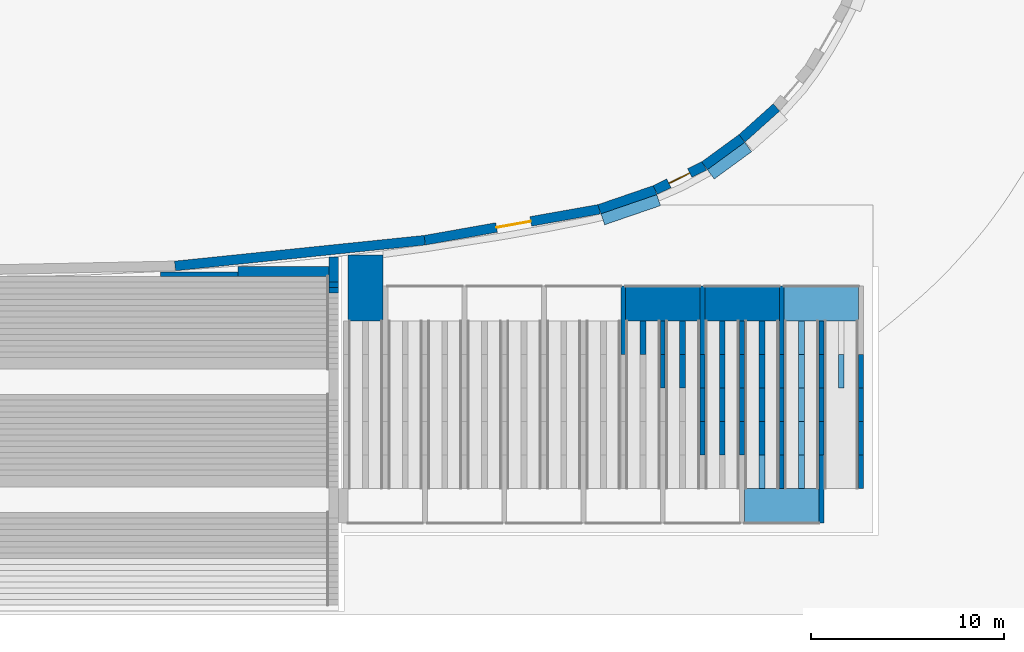
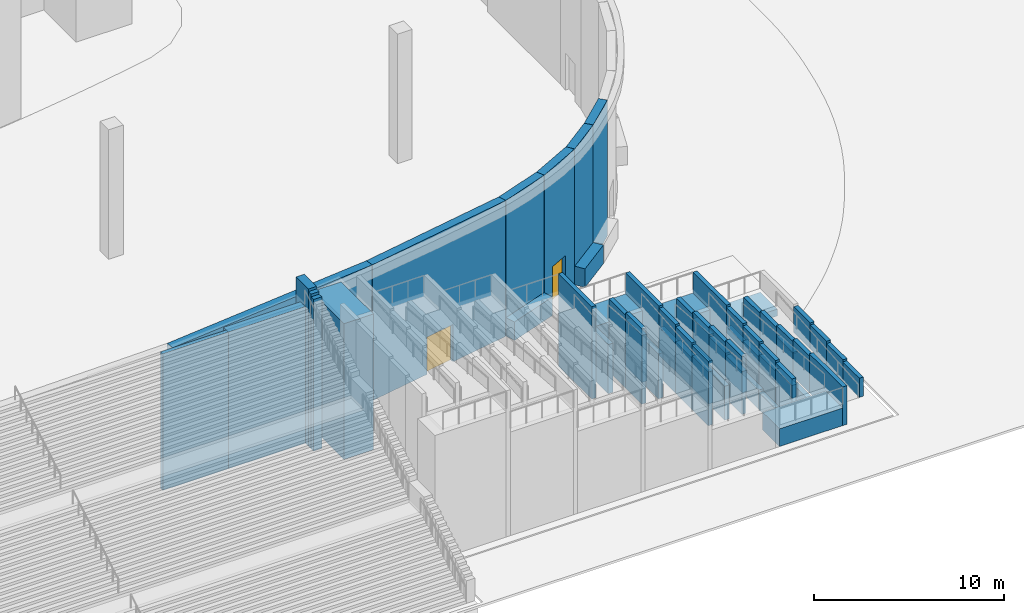
# One storey, part 9 of 29: 61 walls, 2 doors, 2 openings.
"""IFC4 building model written with IfcOpenShell, lengths in metres."""

import ifcopenshell
import ifcopenshell.guid

model = None  # the IFC model being written
_history = None  # IfcOwnerHistory: only IFC2X3 demands one
_inside = {}  # id of a spatial element -> (the spatial element, [elements in it])
_under = {}  # id of a project, library or spatial element -> (it, [spatial elements below it])
_declared = {}  # id of a project -> (the project, [libraries it declares])
_typed = {}  # id of a type object -> (the type object, [elements of that type])
_made_of = {}  # id of a material, layer set ... -> (it, [elements and type objects made of it])


def new_model(schema):
    """Start an empty IFC model of exactly this schema.

    Asked for "IFC4X3", IfcOpenShell would pick the latest addendum, in which some entities
    have other attributes; the version numbers below select the first issue.
    IFC2X3 requires an IfcOwnerHistory on every rooted entity: one is made here for all.
    """
    global model, _history
    if schema == "IFC4X3":
        model = ifcopenshell.file(schema_version=(4, 3, 0, 0))
    else:
        model = ifcopenshell.file(schema=schema)
    _inside.clear()
    _under.clear()
    _declared.clear()
    _typed.clear()
    _made_of.clear()
    _history = None
    if model.schema == "IFC2X3":
        org = make("IfcOrganization", Name="unknown")
        user = make(
            "IfcPersonAndOrganization",
            ThePerson=make("IfcPerson", FamilyName="unknown"),
            TheOrganization=org,
        )
        app = make(
            "IfcApplication",
            ApplicationDeveloper=org,
            Version="unknown",
            ApplicationFullName="unknown",
            ApplicationIdentifier="unknown",
        )
        _history = make(
            "IfcOwnerHistory",
            OwningUser=user,
            OwningApplication=app,
            ChangeAction="ADDED",
            CreationDate=0,
        )
    return model


def make(cls, **values):
    """One entity of the class cls with the attributes given. An attribute that is None is left unset."""
    return model.create_entity(
        cls, **{name: value for name, value in values.items() if value is not None}
    )


def rooted(cls, **values):
    """An entity with a GlobalId (a new one), such as an element, a storey or a relation."""
    return make(cls, GlobalId=ifcopenshell.guid.new(), OwnerHistory=_history, **values)


def si_unit(unit_type, name, prefix=None):
    """IfcSIUnit, for example si_unit("LENGTHUNIT", "METRE", prefix="MILLI")."""
    return make("IfcSIUnit", UnitType=unit_type, Prefix=prefix, Name=name)


def assignment(units):
    """IfcUnitAssignment: the units of a project."""
    return None if units is None else make("IfcUnitAssignment", Units=units)


def point(xyz):
    """IfcCartesianPoint."""
    return None if xyz is None else make("IfcCartesianPoint", Coordinates=xyz)


def direction(xyz):
    """IfcDirection."""
    return None if xyz is None else make("IfcDirection", DirectionRatios=xyz)


def frame(location, z_axis=None, x_axis=None):
    """IfcAxis2Placement3D, a coordinate frame: its origin and axes. An axis left out is left unset."""
    return make(
        "IfcAxis2Placement3D",
        Location=point(location),
        Axis=direction(z_axis),
        RefDirection=direction(x_axis),
    )


def frame_2d(location, x_axis=None):
    """IfcAxis2Placement2D, a coordinate frame in the plane: its origin and x axis."""
    return make(
        "IfcAxis2Placement2D", Location=point(location), RefDirection=direction(x_axis)
    )


def origin():
    """The frame at (0, 0, 0) with its axes left unset."""
    return frame((0.0, 0.0, 0.0))


def place(relative_to, where):
    """IfcLocalPlacement: puts the frame where relative to a parent placement (None: the world)."""
    return make(
        "IfcLocalPlacement", PlacementRelTo=relative_to, RelativePlacement=where
    )


def context(
    kind, dimensions, precision=None, world=None, true_north=None, identifier=None
):
    """IfcGeometricRepresentationContext, for example the 3D "Model" context."""
    return make(
        "IfcGeometricRepresentationContext",
        ContextIdentifier=identifier,
        ContextType=kind,
        CoordinateSpaceDimension=dimensions,
        Precision=precision,
        WorldCoordinateSystem=world,
        TrueNorth=true_north,
    )


def subcontext(parent, identifier, kind, view, scale=None):
    """IfcGeometricRepresentationSubContext, for example "Body" below "Model"."""
    return make(
        "IfcGeometricRepresentationSubContext",
        ContextIdentifier=identifier,
        ContextType=kind,
        ParentContext=parent,
        TargetScale=scale,
        TargetView=view,
    )


def project(units=None, contexts=None):
    """IfcProject with its units and contexts."""
    return rooted(
        "IfcProject",
        Name="project",
        RepresentationContexts=contexts,
        UnitsInContext=assignment(units),
    )


def spatial(cls, under=None, at=None, **own):
    """A site, building, storey or space (cls), placed at a placement, below another one or the project."""
    s = rooted(cls, ObjectPlacement=at, **own)
    if under is not None:
        _under.setdefault(under.id(), (under, []))[1].append(s)
    return s


def profile(cls, at=None, kind="AREA", **sizes):
    """A parametric profile (cls). Its sizes go by their IFC names, for example OverallWidth=200.0."""
    return make(cls, ProfileType=kind, Position=at, **sizes)


def rectangle(**sizes):
    """IfcRectangleProfileDef."""
    return profile("IfcRectangleProfileDef", **sizes)


def extrude(swept, where, along, depth):
    """IfcExtrudedAreaSolid: the profile swept, set in the frame where, extruded along a direction by depth."""
    return make(
        "IfcExtrudedAreaSolid",
        SweptArea=swept,
        Position=where,
        ExtrudedDirection=direction(along),
        Depth=depth,
    )


def shape(context_of_items, identifier, shape_type, items):
    """IfcShapeRepresentation: the items that make up one representation, for example the "Body"."""
    return make(
        "IfcShapeRepresentation",
        ContextOfItems=context_of_items,
        RepresentationIdentifier=identifier,
        RepresentationType=shape_type,
        Items=items,
    )


def material(Name=None, Category=None):
    """IfcMaterial."""
    return make("IfcMaterial", Name=Name, Category=Category)


def layer(
    of_material, thickness, ventilated=None, Name=None, Category=None, Priority=None
):
    """IfcMaterialLayer: one layer of a wall or slab, of a material (None: an air gap)."""
    return make(
        "IfcMaterialLayer",
        Material=of_material,
        LayerThickness=thickness,
        IsVentilated=ventilated,
        Name=Name,
        Category=Category,
        Priority=Priority,
    )


def layer_set(layers, Name=None):
    """IfcMaterialLayerSet."""
    return make("IfcMaterialLayerSet", MaterialLayers=layers, LayerSetName=Name)


def made_of(thing, what):
    """Note that an element or type object is made of a material, layer set ...; save() writes the relation."""
    if what is not None:
        _made_of.setdefault(what.id(), (what, []))[1].append(thing)
    return thing


def type_object(cls, material=None, **own):
    """A type object (cls), such as IfcWallType, which elements share."""
    return made_of(rooted(cls, **own), material)


def element(
    cls,
    number,
    at=None,
    inside=None,
    cuts=None,
    type_object=None,
    material=None,
    context=None,
    identifier="Body",
    shape_type=None,
    held_by="IfcProductDefinitionShape",
    body=None,
    shapes=None,
    **own,
):
    """One element of the class cls, such as IfcWall. Its Tag is "e" and its number.

    at: its placement. inside: the storey or other place that contains it. cuts: it is an
    opening in that element (IfcRelVoidsElement). A single representation is given by context,
    identifier, shape_type and body (its items); several are given by shapes. held_by: the class
    of the entity that holds the representations. save() writes the other relations.
    """
    e = rooted(cls, Tag="e%d" % number, ObjectPlacement=at, **own)
    if body is not None:
        shapes = [shape(context, identifier, shape_type, body)]
    if shapes is not None:
        e.Representation = make(held_by, Representations=shapes)
    if inside is not None:
        _inside.setdefault(inside.id(), (inside, []))[1].append(e)
    if cuts is not None:
        rooted(
            "IfcRelVoidsElement", RelatingBuildingElement=cuts, RelatedOpeningElement=e
        )
    if type_object is not None:
        _typed.setdefault(type_object.id(), (type_object, []))[1].append(e)
    return made_of(e, material)


def fill(opening, filler):
    """IfcRelFillsElement: the door or window that sits in an opening."""
    return rooted(
        "IfcRelFillsElement",
        RelatingOpeningElement=opening,
        RelatedBuildingElement=filler,
    )


def aggregate(whole, parts):
    """IfcRelAggregates: a whole, such as a stair, and the parts it consists of."""
    return rooted("IfcRelAggregates", RelatingObject=whole, RelatedObjects=parts)


def save(model, path):
    """Write the relations noted so far, then the file.

    IfcRelAggregates (storeys below a building ...), IfcRelContainedInSpatialStructure (elements
    in a storey), IfcRelDefinesByType, IfcRelAssociatesMaterial and IfcRelDeclares: one each for
    every whole, place, type object, material and project.
    """
    for whole, parts in _under.values():
        aggregate(whole, parts)
    for where, things in _inside.values():
        rooted(
            "IfcRelContainedInSpatialStructure",
            RelatedElements=things,
            RelatingStructure=where,
        )
    for kind, things in _typed.values():
        rooted("IfcRelDefinesByType", RelatedObjects=things, RelatingType=kind)
    for what, things in _made_of.values():
        rooted("IfcRelAssociatesMaterial", RelatedObjects=things, RelatingMaterial=what)
    for by, libraries in _declared.values():
        rooted("IfcRelDeclares", RelatingContext=by, RelatedDefinitions=libraries)
    model.write(path)


model = new_model("IFC4")

# Units and contexts
model_context = context("Model", 3, precision=1e-05, world=origin(), true_north=direction((0.0, 1.0)))
body_context = subcontext(model_context, "Body", "Model", "MODEL_VIEW")
ifc_project = project(units=[si_unit("LENGTHUNIT", "METRE"), si_unit("AREAUNIT", "SQUARE_METRE"), si_unit("VOLUMEUNIT", "CUBIC_METRE"), si_unit("PLANEANGLEUNIT", "RADIAN"), si_unit("MASSUNIT", "GRAM", prefix="KILO")], contexts=[model_context])

# Site, building, storey
site_placement = place(None, origin())
site = spatial("IfcSite", under=ifc_project, at=site_placement, CompositionType="ELEMENT")
building_placement = place(site_placement, origin())
building = spatial("IfcBuilding", under=site, at=building_placement, Name="Sierra Prisma Convention Tower", CompositionType="ELEMENT")
storey_placement = place(building_placement, origin())
storey = spatial("IfcBuildingStorey", under=building, at=storey_placement, Name="L00", CompositionType="ELEMENT", Elevation=0.0)

# Walls
ifc_material_1 = material(Name="Concrete C35/45, rose plaster finish", Category="concrete")
ifc_layer_1 = layer(ifc_material_1, 0.5)
ifc_layer_set_1 = layer_set([ifc_layer_1], Name="Garden steps cheek wall 500")
wall_type_1 = type_object("IfcWallType", Name="Garden steps cheek wall 500", PredefinedType="STANDARD", material=ifc_layer_set_1)
wall_1_placement = place(storey_placement, frame((17.949951171875, -56.33740234375, 0.0), z_axis=(0.0, 0.0, 1.0), x_axis=(0.0, 1.0, 0.0)))
element("IfcWall", 1, at=wall_1_placement, inside=storey, type_object=wall_type_1, Name="Garden steps cheek wall east 48", PredefinedType="STANDARD", context=body_context, shape_type="SweptSolid", body=[
    extrude(rectangle(XDim=0.282470703125, YDim=0.5, at=frame_2d((0.14111328125, 0.0))), origin(), (0.0, 0.0, 1.0), 9.767822265625),
])
wall_2_placement = place(storey_placement, frame((17.949951171875, -56.054931640625, 0.0), z_axis=(0.0, 0.0, 1.0), x_axis=(0.0, 1.0, 0.0)))
element("IfcWall", 2, at=wall_2_placement, inside=storey, type_object=wall_type_1, Name="Garden steps cheek wall east 49", PredefinedType="STANDARD", context=body_context, shape_type="SweptSolid", body=[
    extrude(rectangle(XDim=0.2822265625, YDim=0.5, at=frame_2d((0.14111328125, 0.0))), origin(), (0.0, 0.0, 1.0), 9.933837890625),
])
wall_3_placement = place(storey_placement, frame((17.949951171875, -55.772705078125, 0.0), z_axis=(0.0, 0.0, 1.0), x_axis=(0.0, 1.0, 0.0)))
element("IfcWall", 3, at=wall_3_placement, inside=storey, type_object=wall_type_1, Name="Garden steps cheek wall east 50", PredefinedType="STANDARD", context=body_context, shape_type="SweptSolid", body=[
    extrude(rectangle(XDim=1.294921875, YDim=0.5, at=frame_2d((0.6474609375, 0.0))), origin(), (0.0, 0.0, 1.0), 10.10009765625),
])
ifc_material_2 = material(Name="Concrete C30/37", Category="concrete")
ifc_layer_2 = layer(ifc_material_2, 0.235107421875)
ifc_layer_set_2 = layer_set([ifc_layer_2], Name="Garden steps head support 235")
wall_type_2 = type_object("IfcWallType", Name="Garden steps head support 235", PredefinedType="STANDARD", material=ifc_layer_set_2)
wall_4_placement = place(storey_placement, frame((9.0, -55.37255859375, 0.0), z_axis=(0.0, 0.0, 1.0), x_axis=(1.0, 0.0, 0.0)))
element("IfcWall", 4, at=wall_4_placement, inside=storey, type_object=wall_type_2, Name="Garden steps head support wall", PredefinedType="STANDARD", context=body_context, shape_type="SweptSolid", body=[
    extrude(rectangle(XDim=4.0, YDim=0.235107421875, at=frame_2d((2.0, 0.0))), origin(), (0.0, 0.0, 1.0), 8.800048828125),
])
ifc_material_3 = material(Name="Concrete C30/37", Category="concrete")
ifc_layer_3 = layer(ifc_material_3, 0.51611328125)
ifc_layer_set_3 = layer_set([ifc_layer_3], Name="Garden steps head support 516")
wall_type_3 = type_object("IfcWallType", Name="Garden steps head support 516", PredefinedType="STANDARD", material=ifc_layer_set_3)
wall_5_placement = place(storey_placement, frame((13.0, -55.232177734375, 0.0), z_axis=(0.0, 0.0, 1.0), x_axis=(1.0, 0.0, 0.0)))
element("IfcWall", 5, at=wall_5_placement, inside=storey, type_object=wall_type_3, Name="Garden steps head support wall", PredefinedType="STANDARD", context=body_context, shape_type="SweptSolid", body=[
    extrude(rectangle(XDim=4.699951171875, YDim=0.51611328125, at=frame_2d((2.35009765625, 0.0))), origin(), (0.0, 0.0, 1.0), 8.800048828125),
])

# Wall, opening, door
ifc_material_4 = material(Name="Concrete C40/50, ochre plaster finish", Category="concrete")
ifc_layer_4 = layer(ifc_material_4, 0.5)
ifc_layer_set_4 = layer_set([ifc_layer_4], Name="Ochre plastered wall 500")
wall_type_4 = type_object("IfcWallType", Name="Ochre plastered wall 500", PredefinedType="STANDARD", material=ifc_layer_set_4)
wall_6_placement = place(storey_placement, frame((31.6923828125, -52.01708984375, 0.0), z_axis=(0.0, 0.0, 1.0), x_axis=(-0.984616615876, -0.174728703255, 0.0)))
wall_6 = element("IfcWall", 6, at=wall_6_placement, inside=storey, type_object=wall_type_4, Name="Plinth wall 12", PredefinedType="STANDARD", context=body_context, shape_type="SweptSolid", body=[
    extrude(rectangle(XDim=9.16748046875, YDim=0.5, at=frame_2d((4.583740234375, 0.0))), origin(), (0.0, 0.0, 1.0), 8.75),
])
opening_1_placement = place(wall_6_placement, frame((3.60009765625, 0.0, 0.0)))
opening_1 = element("IfcOpeningElement", 7, at=opening_1_placement, cuts=wall_6, Name="Opening L00-D048", PredefinedType="OPENING", context=body_context, shape_type="SweptSolid", body=[
    extrude(rectangle(XDim=1.800048828125, YDim=2.39990234375, at=frame_2d((0.89990234375, 1.199951171875))), frame((0.0, 0.25, 0.0), z_axis=(0.0, -1.0, 0.0), x_axis=(1.0, 0.0, 0.0)), (0.0, 0.0, 1.0), 0.5),
])
ifc_material_5 = material(Name="Painted steel, fire resisting", Category="steel")
door_type_1 = type_object("IfcDoorType", Name="Exit door double 1800 x 2400", OperationType="DOUBLE_DOOR_SINGLE_SWING", PredefinedType="DOOR", material=ifc_material_5)
door_1_placement = place(opening_1_placement, origin())
door_1 = element("IfcDoor", 8, at=door_1_placement, inside=storey, type_object=door_type_1, Name="Pedestrian exit door", OperationType="DOUBLE_DOOR_SINGLE_SWING", OverallHeight=2.39990234375, OverallWidth=1.800048828125, PredefinedType="DOOR", context=body_context, shape_type="SweptSolid", body=[
    extrude(rectangle(XDim=1.800048828125, YDim=2.39990234375, at=frame_2d((0.89990234375, 1.199951171875))), frame((0.0, 0.02490234375, 0.0), z_axis=(0.0, -1.0, 0.0), x_axis=(1.0, 0.0, 0.0)), (0.0, 0.0, 1.0), 0.050048828125),
])
fill(opening_1, door_1)

wall_7_placement = place(storey_placement, frame((37.130859375, -49.768310546875, 0.0), z_axis=(0.0, 0.0, 1.0), x_axis=(-0.896819060731, -0.442397527468, 0.0)))
wall_7 = element("IfcWall", 9, at=wall_7_placement, inside=storey, type_object=wall_type_4, Name="Plinth wall 14", PredefinedType="STANDARD", context=body_context, shape_type="SweptSolid", body=[
    extrude(rectangle(XDim=2.842529296875, YDim=0.5, at=frame_2d((1.42138671875, 0.0))), origin(), (0.0, 0.0, 1.0), 8.75),
])
opening_2_placement = place(wall_7_placement, frame((0.85009765625, 0.0, 0.0)))
opening_2 = element("IfcOpeningElement", 10, at=opening_2_placement, cuts=wall_7, Name="Opening L00-D055", PredefinedType="OPENING", context=body_context, shape_type="SweptSolid", body=[
    extrude(rectangle(XDim=1.199951171875, YDim=2.39990234375, at=frame_2d((0.60009765625, 1.199951171875))), frame((0.0, 0.25, 0.0), z_axis=(0.0, -1.0, 0.0), x_axis=(1.0, 0.0, 0.0)), (0.0, 0.0, 1.0), 0.5),
])
ifc_material_6 = material(Name="Painted steel, fire resisting", Category="steel")
door_type_2 = type_object("IfcDoorType", Name="Pedestrian exit door 1200 x 2400", OperationType="SINGLE_SWING_LEFT", PredefinedType="DOOR", material=ifc_material_6)
door_2_placement = place(opening_2_placement, origin())
door_2 = element("IfcDoor", 11, at=door_2_placement, inside=storey, type_object=door_type_2, Name="Pedestrian exit door", OperationType="SINGLE_SWING_LEFT", OverallHeight=2.39990234375, OverallWidth=1.199951171875, PredefinedType="DOOR", context=body_context, shape_type="SweptSolid", body=[
    extrude(rectangle(XDim=1.199951171875, YDim=2.39990234375, at=frame_2d((0.60009765625, 1.199951171875))), frame((0.0, 0.02490234375, 0.0), z_axis=(0.0, -1.0, 0.0), x_axis=(1.0, 0.0, 0.0)), (0.0, 0.0, 1.0), 0.050048828125),
])
fill(opening_2, door_2)

# Walls
wall_8_placement = place(storey_placement, frame((40.85205078125, -46.753662109375, 0.0), z_axis=(0.0, 0.0, 1.0), x_axis=(-0.744633990401, -0.667473010945, 0.0)))
element("IfcWall", 12, at=wall_8_placement, inside=storey, type_object=wall_type_4, Name="Plinth wall 16", PredefinedType="STANDARD", context=body_context, shape_type="SweptSolid", body=[
    extrude(rectangle(XDim=2.3984375, YDim=0.5, at=frame_2d((1.19921875, 0.0))), origin(), (0.0, 0.0, 1.0), 8.75),
])
ifc_material_7 = material(Name="Concrete C40/50, bush-hammered finish", Category="concrete")
ifc_layer_5 = layer(ifc_material_7, 0.60009765625)
ifc_layer_set_5 = layer_set([ifc_layer_5], Name="Plinth base course 600")
wall_type_5 = type_object("IfcWallType", Name="Plinth base course 600", PredefinedType="STANDARD", material=ifc_layer_set_5)
wall_9_placement = place(storey_placement, frame((31.87109375, -52.53759765625, 0.0), z_axis=(0.0, 0.0, 1.0), x_axis=(0.945823968229, 0.324679874837, 0.0)))
element("IfcWall", 13, at=wall_9_placement, inside=storey, type_object=wall_type_5, Name="Plinth base course 6", PredefinedType="STANDARD", context=body_context, shape_type="SweptSolid", body=[
    extrude(rectangle(XDim=3.054443359375, YDim=0.60009765625, at=frame_2d((1.52734375, 0.0))), origin(), (0.0, 0.0, 1.0), 1.199951171875),
])
wall_10_placement = place(storey_placement, frame((37.455322265625, -50.21240234375, 0.0), z_axis=(0.0, 0.0, 1.0), x_axis=(0.807478832601, 0.589896545931, 0.0)))
element("IfcWall", 14, at=wall_10_placement, inside=storey, type_object=wall_type_5, Name="Plinth base course 7", PredefinedType="STANDARD", context=body_context, shape_type="SweptSolid", body=[
    extrude(rectangle(XDim=2.396728515625, YDim=0.60009765625, at=frame_2d((1.1982421875, 0.0))), origin(), (0.0, 0.0, 1.0), 1.199951171875),
])
ifc_material_8 = material(Name="Concrete C35/45, rose plaster finish", Category="concrete")
ifc_layer_6 = layer(ifc_material_8, 0.25)
ifc_layer_set_6 = layer_set([ifc_layer_6], Name="Ramp guard wall 250")
wall_type_6 = type_object("IfcWallType", Name="Ramp guard wall 250", PredefinedType="STANDARD", material=ifc_layer_set_6)
wall_11_placement = place(storey_placement, frame((45.22509765625, -66.453857421875, 0.0), z_axis=(0.0, 0.0, 1.0), x_axis=(0.0, 1.0, 0.0)))
element("IfcWall", 15, at=wall_11_placement, inside=storey, type_object=wall_type_6, Name="Accessible ramp guard wall 1 1", PredefinedType="STANDARD", context=body_context, shape_type="SweptSolid", body=[
    extrude(rectangle(XDim=1.730712890625, YDim=0.25, at=frame_2d((0.865234375, 0.0))), origin(), (0.0, 0.0, 1.0), 1.238525390625),
])
wall_12_placement = place(storey_placement, frame((45.22509765625, -64.72314453125, 0.0), z_axis=(0.0, 0.0, 1.0), x_axis=(0.0, 1.0, 0.0)))
element("IfcWall", 16, at=wall_12_placement, inside=storey, type_object=wall_type_6, Name="Accessible ramp guard wall 1 2", PredefinedType="STANDARD", context=body_context, shape_type="SweptSolid", body=[
    extrude(rectangle(XDim=1.73095703125, YDim=0.25, at=frame_2d((0.865478515625, 0.0))), origin(), (0.0, 0.0, 1.0), 1.376953125),
])
wall_13_placement = place(storey_placement, frame((45.22509765625, -62.9921875, 0.0), z_axis=(0.0, 0.0, 1.0), x_axis=(0.0, 1.0, 0.0)))
element("IfcWall", 17, at=wall_13_placement, inside=storey, type_object=wall_type_6, Name="Accessible ramp guard wall 1 3", PredefinedType="STANDARD", context=body_context, shape_type="SweptSolid", body=[
    extrude(rectangle(XDim=1.73046875, YDim=0.25, at=frame_2d((0.865234375, 0.0))), origin(), (0.0, 0.0, 1.0), 1.515380859375),
])
wall_14_placement = place(storey_placement, frame((45.22509765625, -61.26171875, 0.0), z_axis=(0.0, 0.0, 1.0), x_axis=(0.0, 1.0, 0.0)))
element("IfcWall", 18, at=wall_14_placement, inside=storey, type_object=wall_type_6, Name="Accessible ramp guard wall 1 4", PredefinedType="STANDARD", context=body_context, shape_type="SweptSolid", body=[
    extrude(rectangle(XDim=1.73095703125, YDim=0.25, at=frame_2d((0.865478515625, 0.0))), origin(), (0.0, 0.0, 1.0), 1.65380859375),
])
wall_15_placement = place(storey_placement, frame((43.175048828125, -68.25390625, 0.0), z_axis=(0.0, 0.0, 1.0), x_axis=(0.0, 1.0, 0.0)))
element("IfcWall", 19, at=wall_15_placement, inside=storey, type_object=wall_type_6, Name="Accessible ramp guard wall 2 1", PredefinedType="STANDARD", context=body_context, shape_type="SweptSolid", body=[
    extrude(rectangle(XDim=3.53076171875, YDim=0.25, at=frame_2d((1.765380859375, 0.0))), origin(), (0.0, 0.0, 1.0), 2.484619140625),
])
wall_16_placement = place(storey_placement, frame((43.175048828125, -64.72314453125, 0.0), z_axis=(0.0, 0.0, 1.0), x_axis=(0.0, 1.0, 0.0)))
element("IfcWall", 20, at=wall_16_placement, inside=storey, type_object=wall_type_6, Name="Accessible ramp guard wall 2 2", PredefinedType="STANDARD", context=body_context, shape_type="SweptSolid", body=[
    extrude(rectangle(XDim=1.73095703125, YDim=0.25, at=frame_2d((0.865478515625, 0.0))), origin(), (0.0, 0.0, 1.0), 2.34619140625),
])
wall_17_placement = place(storey_placement, frame((43.175048828125, -62.9921875, 0.0), z_axis=(0.0, 0.0, 1.0), x_axis=(0.0, 1.0, 0.0)))
element("IfcWall", 21, at=wall_17_placement, inside=storey, type_object=wall_type_6, Name="Accessible ramp guard wall 2 3", PredefinedType="STANDARD", context=body_context, shape_type="SweptSolid", body=[
    extrude(rectangle(XDim=1.73046875, YDim=0.25, at=frame_2d((0.865234375, 0.0))), origin(), (0.0, 0.0, 1.0), 2.207763671875),
])
wall_18_placement = place(storey_placement, frame((43.175048828125, -61.26171875, 0.0), z_axis=(0.0, 0.0, 1.0), x_axis=(0.0, 1.0, 0.0)))
element("IfcWall", 22, at=wall_18_placement, inside=storey, type_object=wall_type_6, Name="Accessible ramp guard wall 2 4", PredefinedType="STANDARD", context=body_context, shape_type="SweptSolid", body=[
    extrude(rectangle(XDim=1.73095703125, YDim=0.25, at=frame_2d((0.865478515625, 0.0))), origin(), (0.0, 0.0, 1.0), 2.069091796875),
])
wall_19_placement = place(storey_placement, frame((43.175048828125, -59.53076171875, 0.0), z_axis=(0.0, 0.0, 1.0), x_axis=(0.0, 1.0, 0.0)))
element("IfcWall", 23, at=wall_19_placement, inside=storey, type_object=wall_type_6, Name="Accessible ramp guard wall 2 5", PredefinedType="STANDARD", context=body_context, shape_type="SweptSolid", body=[
    extrude(rectangle(XDim=1.730712890625, YDim=0.25, at=frame_2d((0.865234375, 0.0))), origin(), (0.0, 0.0, 1.0), 1.930908203125),
])
wall_20_placement = place(storey_placement, frame((41.125, -66.453857421875, 0.0), z_axis=(0.0, 0.0, 1.0), x_axis=(0.0, 1.0, 0.0)))
element("IfcWall", 24, at=wall_20_placement, inside=storey, type_object=wall_type_6, Name="Accessible ramp guard wall 3 1", PredefinedType="STANDARD", context=body_context, shape_type="SweptSolid", body=[
    extrude(rectangle(XDim=1.730712890625, YDim=0.25, at=frame_2d((0.865234375, 0.0))), origin(), (0.0, 0.0, 1.0), 2.623046875),
])
wall_21_placement = place(storey_placement, frame((41.125, -64.72314453125, 0.0), z_axis=(0.0, 0.0, 1.0), x_axis=(0.0, 1.0, 0.0)))
element("IfcWall", 25, at=wall_21_placement, inside=storey, type_object=wall_type_6, Name="Accessible ramp guard wall 3 2", PredefinedType="STANDARD", context=body_context, shape_type="SweptSolid", body=[
    extrude(rectangle(XDim=1.73095703125, YDim=0.25, at=frame_2d((0.865478515625, 0.0))), origin(), (0.0, 0.0, 1.0), 2.761474609375),
])
wall_22_placement = place(storey_placement, frame((41.125, -62.9921875, 0.0), z_axis=(0.0, 0.0, 1.0), x_axis=(0.0, 1.0, 0.0)))
element("IfcWall", 26, at=wall_22_placement, inside=storey, type_object=wall_type_6, Name="Accessible ramp guard wall 3 3", PredefinedType="STANDARD", context=body_context, shape_type="SweptSolid", body=[
    extrude(rectangle(XDim=1.73046875, YDim=0.25, at=frame_2d((0.865234375, 0.0))), origin(), (0.0, 0.0, 1.0), 2.89990234375),
])
wall_23_placement = place(storey_placement, frame((41.125, -61.26171875, 0.0), z_axis=(0.0, 0.0, 1.0), x_axis=(0.0, 1.0, 0.0)))
element("IfcWall", 27, at=wall_23_placement, inside=storey, type_object=wall_type_6, Name="Accessible ramp guard wall 3 4", PredefinedType="STANDARD", context=body_context, shape_type="SweptSolid", body=[
    extrude(rectangle(XDim=1.73095703125, YDim=0.25, at=frame_2d((0.865478515625, 0.0))), origin(), (0.0, 0.0, 1.0), 3.038330078125),
])
wall_24_placement = place(storey_placement, frame((41.125, -59.53076171875, 0.0), z_axis=(0.0, 0.0, 1.0), x_axis=(0.0, 1.0, 0.0)))
element("IfcWall", 28, at=wall_24_placement, inside=storey, type_object=wall_type_6, Name="Accessible ramp guard wall 3 5", PredefinedType="STANDARD", context=body_context, shape_type="SweptSolid", body=[
    extrude(rectangle(XDim=3.53076171875, YDim=0.25, at=frame_2d((1.765380859375, 0.0))), origin(), (0.0, 0.0, 1.0), 3.177001953125),
])
wall_25_placement = place(storey_placement, frame((39.074951171875, -64.72314453125, 0.0), z_axis=(0.0, 0.0, 1.0), x_axis=(0.0, 1.0, 0.0)))
element("IfcWall", 29, at=wall_25_placement, inside=storey, type_object=wall_type_6, Name="Accessible ramp guard wall 4 2", PredefinedType="STANDARD", context=body_context, shape_type="SweptSolid", body=[
    extrude(rectangle(XDim=1.73095703125, YDim=0.25, at=frame_2d((0.865478515625, 0.0))), origin(), (0.0, 0.0, 1.0), 3.730712890625),
])
wall_26_placement = place(storey_placement, frame((39.074951171875, -62.9921875, 0.0), z_axis=(0.0, 0.0, 1.0), x_axis=(0.0, 1.0, 0.0)))
element("IfcWall", 30, at=wall_26_placement, inside=storey, type_object=wall_type_6, Name="Accessible ramp guard wall 4 3", PredefinedType="STANDARD", context=body_context, shape_type="SweptSolid", body=[
    extrude(rectangle(XDim=1.73046875, YDim=0.25, at=frame_2d((0.865234375, 0.0))), origin(), (0.0, 0.0, 1.0), 3.59228515625),
])
wall_27_placement = place(storey_placement, frame((39.074951171875, -61.26171875, 0.0), z_axis=(0.0, 0.0, 1.0), x_axis=(0.0, 1.0, 0.0)))
element("IfcWall", 31, at=wall_27_placement, inside=storey, type_object=wall_type_6, Name="Accessible ramp guard wall 4 4", PredefinedType="STANDARD", context=body_context, shape_type="SweptSolid", body=[
    extrude(rectangle(XDim=1.73095703125, YDim=0.25, at=frame_2d((0.865478515625, 0.0))), origin(), (0.0, 0.0, 1.0), 3.453857421875),
])
wall_28_placement = place(storey_placement, frame((39.074951171875, -59.53076171875, 0.0), z_axis=(0.0, 0.0, 1.0), x_axis=(0.0, 1.0, 0.0)))
element("IfcWall", 32, at=wall_28_placement, inside=storey, type_object=wall_type_6, Name="Accessible ramp guard wall 4 5", PredefinedType="STANDARD", context=body_context, shape_type="SweptSolid", body=[
    extrude(rectangle(XDim=1.730712890625, YDim=0.25, at=frame_2d((0.865234375, 0.0))), origin(), (0.0, 0.0, 1.0), 3.3154296875),
])
wall_29_placement = place(storey_placement, frame((37.02490234375, -64.72314453125, 0.0), z_axis=(0.0, 0.0, 1.0), x_axis=(0.0, 1.0, 0.0)))
element("IfcWall", 33, at=wall_29_placement, inside=storey, type_object=wall_type_6, Name="Accessible ramp guard wall 5 2", PredefinedType="STANDARD", context=body_context, shape_type="SweptSolid", body=[
    extrude(rectangle(XDim=1.73095703125, YDim=0.25, at=frame_2d((0.865478515625, 0.0))), origin(), (0.0, 0.0, 1.0), 4.14599609375),
])
wall_30_placement = place(storey_placement, frame((37.02490234375, -62.9921875, 0.0), z_axis=(0.0, 0.0, 1.0), x_axis=(0.0, 1.0, 0.0)))
element("IfcWall", 34, at=wall_30_placement, inside=storey, type_object=wall_type_6, Name="Accessible ramp guard wall 5 3", PredefinedType="STANDARD", context=body_context, shape_type="SweptSolid", body=[
    extrude(rectangle(XDim=1.73046875, YDim=0.25, at=frame_2d((0.865234375, 0.0))), origin(), (0.0, 0.0, 1.0), 4.28466796875),
])
wall_31_placement = place(storey_placement, frame((37.02490234375, -61.26171875, 0.0), z_axis=(0.0, 0.0, 1.0), x_axis=(0.0, 1.0, 0.0)))
element("IfcWall", 35, at=wall_31_placement, inside=storey, type_object=wall_type_6, Name="Accessible ramp guard wall 5 4", PredefinedType="STANDARD", context=body_context, shape_type="SweptSolid", body=[
    extrude(rectangle(XDim=1.73095703125, YDim=0.25, at=frame_2d((0.865478515625, 0.0))), origin(), (0.0, 0.0, 1.0), 4.423095703125),
])
wall_32_placement = place(storey_placement, frame((37.02490234375, -59.53076171875, 0.0), z_axis=(0.0, 0.0, 1.0), x_axis=(0.0, 1.0, 0.0)))
element("IfcWall", 36, at=wall_32_placement, inside=storey, type_object=wall_type_6, Name="Accessible ramp guard wall 5 5", PredefinedType="STANDARD", context=body_context, shape_type="SweptSolid", body=[
    extrude(rectangle(XDim=3.53076171875, YDim=0.25, at=frame_2d((1.765380859375, 0.0))), origin(), (0.0, 0.0, 1.0), 4.5615234375),
])
wall_33_placement = place(storey_placement, frame((34.97509765625, -61.26171875, 0.0), z_axis=(0.0, 0.0, 1.0), x_axis=(0.0, 1.0, 0.0)))
element("IfcWall", 37, at=wall_33_placement, inside=storey, type_object=wall_type_6, Name="Accessible ramp guard wall 6 4", PredefinedType="STANDARD", context=body_context, shape_type="SweptSolid", body=[
    extrude(rectangle(XDim=1.73095703125, YDim=0.25, at=frame_2d((0.865478515625, 0.0))), origin(), (0.0, 0.0, 1.0), 4.83837890625),
])
wall_34_placement = place(storey_placement, frame((34.97509765625, -59.53076171875, 0.0), z_axis=(0.0, 0.0, 1.0), x_axis=(0.0, 1.0, 0.0)))
element("IfcWall", 38, at=wall_34_placement, inside=storey, type_object=wall_type_6, Name="Accessible ramp guard wall 6 5", PredefinedType="STANDARD", context=body_context, shape_type="SweptSolid", body=[
    extrude(rectangle(XDim=1.730712890625, YDim=0.25, at=frame_2d((0.865234375, 0.0))), origin(), (0.0, 0.0, 1.0), 4.699951171875),
])
wall_35_placement = place(storey_placement, frame((32.925048828125, -59.53076171875, 0.0), z_axis=(0.0, 0.0, 1.0), x_axis=(0.0, 1.0, 0.0)))
element("IfcWall", 39, at=wall_35_placement, inside=storey, type_object=wall_type_6, Name="Accessible ramp guard wall 7 5", PredefinedType="STANDARD", context=body_context, shape_type="SweptSolid", body=[
    extrude(rectangle(XDim=3.53076171875, YDim=0.25, at=frame_2d((1.765380859375, 0.0))), origin(), (0.0, 0.0, 1.0), 5.9462890625),
])
ifc_material_9 = material(Name="Concrete C35/45", Category="concrete")
ifc_layer_7 = layer(ifc_material_9, 1.800048828125)
ifc_layer_set_7 = layer_set([ifc_layer_7], Name="Ramp landing support 1800")
wall_type_7 = type_object("IfcWallType", Name="Ramp landing support 1800", PredefinedType="STANDARD", material=ifc_layer_set_7)
wall_36_placement = place(storey_placement, frame((39.199951171875, -67.353759765625, 0.0), z_axis=(0.0, 0.0, 1.0), x_axis=(1.0, 0.0, 0.0)))
element("IfcWall", 40, at=wall_36_placement, inside=storey, type_object=wall_type_7, Name="Accessible ramp landing support 1", PredefinedType="STANDARD", context=body_context, shape_type="SweptSolid", body=[
    extrude(rectangle(XDim=3.85009765625, YDim=1.800048828125, at=frame_2d((1.925048828125, 0.0))), origin(), (0.0, 0.0, 1.0), 1.134521484375),
])
wall_37_placement = place(storey_placement, frame((41.25, -56.89990234375, 0.0), z_axis=(0.0, 0.0, 1.0), x_axis=(1.0, 0.0, 0.0)))
element("IfcWall", 41, at=wall_37_placement, inside=storey, type_object=wall_type_7, Name="Accessible ramp landing support 7", PredefinedType="STANDARD", context=body_context, shape_type="SweptSolid", body=[
    extrude(rectangle(XDim=3.85009765625, YDim=1.800048828125, at=frame_2d((1.925048828125, 0.0))), origin(), (0.0, 0.0, 1.0), 0.4423828125),
])
wall_38_placement = place(storey_placement, frame((37.14990234375, -56.89990234375, 0.0), z_axis=(0.0, 0.0, 1.0), x_axis=(1.0, 0.0, 0.0)))
element("IfcWall", 42, at=wall_38_placement, inside=storey, type_object=wall_type_7, Name="Accessible ramp landing support 8", PredefinedType="STANDARD", context=body_context, shape_type="SweptSolid", body=[
    extrude(rectangle(XDim=3.85009765625, YDim=1.800048828125, at=frame_2d((1.925048828125, 0.0))), origin(), (0.0, 0.0, 1.0), 1.826904296875),
])
wall_39_placement = place(storey_placement, frame((33.050048828125, -56.89990234375, 0.0), z_axis=(0.0, 0.0, 1.0), x_axis=(1.0, 0.0, 0.0)))
element("IfcWall", 43, at=wall_39_placement, inside=storey, type_object=wall_type_7, Name="Accessible ramp landing support 9", PredefinedType="STANDARD", context=body_context, shape_type="SweptSolid", body=[
    extrude(rectangle(XDim=3.849853515625, YDim=1.800048828125, at=frame_2d((1.9248046875, 0.0))), origin(), (0.0, 0.0, 1.0), 3.21142578125),
])
ifc_material_10 = material(Name="Concrete C35/45", Category="concrete")
ifc_layer_8 = layer(ifc_material_10, 3.409912109375)
ifc_layer_set_8 = layer_set([ifc_layer_8], Name="Ramp landing support 3410")
wall_type_8 = type_object("IfcWallType", Name="Ramp landing support 3410", PredefinedType="STANDARD", material=ifc_layer_set_8)
wall_40_placement = place(storey_placement, frame((18.699951171875, -56.094970703125, 0.0), z_axis=(0.0, 0.0, 1.0), x_axis=(1.0, 0.0, 0.0)))
element("IfcWall", 44, at=wall_40_placement, inside=storey, type_object=wall_type_8, Name="Accessible ramp walkway support", PredefinedType="STANDARD", context=body_context, shape_type="SweptSolid", body=[
    extrude(rectangle(XDim=1.800048828125, YDim=3.409912109375, at=frame_2d((0.89990234375, 0.0))), origin(), (0.0, 0.0, 1.0), 8.75),
])
ifc_material_11 = material(Name="Concrete C35/45", Category="concrete")
ifc_layer_9 = layer(ifc_material_11, 0.300048828125)
ifc_layer_set_9 = layer_set([ifc_layer_9], Name="Ramp spine wall 300")
wall_type_9 = type_object("IfcWallType", Name="Ramp spine wall 300", PredefinedType="STANDARD", material=ifc_layer_set_9)
wall_41_placement = place(storey_placement, frame((44.199951171875, -61.261474609375, 0.0), z_axis=(0.0, 0.0, 1.0), x_axis=(0.0, 1.0, 0.0)))
element("IfcWall", 45, at=wall_41_placement, inside=storey, type_object=wall_type_9, Name="Accessible ramp spine wall 1 1", PredefinedType="STANDARD", context=body_context, shape_type="SweptSolid", body=[
    extrude(rectangle(XDim=1.730712890625, YDim=0.300048828125, at=frame_2d((0.865234375, 0.0))), origin(), (0.0, 0.0, 1.0), 0.114501953125),
])
wall_42_placement = place(storey_placement, frame((42.14990234375, -66.453857421875, 0.0), z_axis=(0.0, 0.0, 1.0), x_axis=(0.0, 1.0, 0.0)))
element("IfcWall", 46, at=wall_42_placement, inside=storey, type_object=wall_type_9, Name="Accessible ramp spine wall 2 1", PredefinedType="STANDARD", context=body_context, shape_type="SweptSolid", body=[
    extrude(rectangle(XDim=1.730712890625, YDim=0.300048828125, at=frame_2d((0.865234375, 0.0))), origin(), (0.0, 0.0, 1.0), 0.9453125),
])
wall_43_placement = place(storey_placement, frame((42.14990234375, -64.72314453125, 0.0), z_axis=(0.0, 0.0, 1.0), x_axis=(0.0, 1.0, 0.0)))
element("IfcWall", 47, at=wall_43_placement, inside=storey, type_object=wall_type_9, Name="Accessible ramp spine wall 2 2", PredefinedType="STANDARD", context=body_context, shape_type="SweptSolid", body=[
    extrude(rectangle(XDim=1.73095703125, YDim=0.300048828125, at=frame_2d((0.865478515625, 0.0))), origin(), (0.0, 0.0, 1.0), 0.806640625),
])
wall_44_placement = place(storey_placement, frame((42.14990234375, -62.9921875, 0.0), z_axis=(0.0, 0.0, 1.0), x_axis=(0.0, 1.0, 0.0)))
element("IfcWall", 48, at=wall_44_placement, inside=storey, type_object=wall_type_9, Name="Accessible ramp spine wall 2 3", PredefinedType="STANDARD", context=body_context, shape_type="SweptSolid", body=[
    extrude(rectangle(XDim=1.730712890625, YDim=0.300048828125, at=frame_2d((0.865234375, 0.0))), origin(), (0.0, 0.0, 1.0), 0.668212890625),
])
wall_45_placement = place(storey_placement, frame((42.14990234375, -61.261474609375, 0.0), z_axis=(0.0, 0.0, 1.0), x_axis=(0.0, 1.0, 0.0)))
element("IfcWall", 49, at=wall_45_placement, inside=storey, type_object=wall_type_9, Name="Accessible ramp spine wall 2 4", PredefinedType="STANDARD", context=body_context, shape_type="SweptSolid", body=[
    extrude(rectangle(XDim=1.730712890625, YDim=0.300048828125, at=frame_2d((0.865234375, 0.0))), origin(), (0.0, 0.0, 1.0), 0.52978515625),
])
wall_46_placement = place(storey_placement, frame((42.14990234375, -59.53076171875, 0.0), z_axis=(0.0, 0.0, 1.0), x_axis=(0.0, 1.0, 0.0)))
element("IfcWall", 50, at=wall_46_placement, inside=storey, type_object=wall_type_9, Name="Accessible ramp spine wall 2 5", PredefinedType="STANDARD", context=body_context, shape_type="SweptSolid", body=[
    extrude(rectangle(XDim=1.730712890625, YDim=0.300048828125, at=frame_2d((0.865234375, 0.0))), origin(), (0.0, 0.0, 1.0), 0.391357421875),
])
wall_47_placement = place(storey_placement, frame((40.10009765625, -66.453857421875, 0.0), z_axis=(0.0, 0.0, 1.0), x_axis=(0.0, 1.0, 0.0)))
element("IfcWall", 51, at=wall_47_placement, inside=storey, type_object=wall_type_9, Name="Accessible ramp spine wall 3 1", PredefinedType="STANDARD", context=body_context, shape_type="SweptSolid", body=[
    extrude(rectangle(XDim=1.730712890625, YDim=0.300048828125, at=frame_2d((0.865234375, 0.0))), origin(), (0.0, 0.0, 1.0), 1.083740234375),
])
wall_48_placement = place(storey_placement, frame((40.10009765625, -64.72314453125, 0.0), z_axis=(0.0, 0.0, 1.0), x_axis=(0.0, 1.0, 0.0)))
element("IfcWall", 52, at=wall_48_placement, inside=storey, type_object=wall_type_9, Name="Accessible ramp spine wall 3 2", PredefinedType="STANDARD", context=body_context, shape_type="SweptSolid", body=[
    extrude(rectangle(XDim=1.73095703125, YDim=0.300048828125, at=frame_2d((0.865478515625, 0.0))), origin(), (0.0, 0.0, 1.0), 1.22216796875),
])
wall_49_placement = place(storey_placement, frame((40.10009765625, -62.9921875, 0.0), z_axis=(0.0, 0.0, 1.0), x_axis=(0.0, 1.0, 0.0)))
element("IfcWall", 53, at=wall_49_placement, inside=storey, type_object=wall_type_9, Name="Accessible ramp spine wall 3 3", PredefinedType="STANDARD", context=body_context, shape_type="SweptSolid", body=[
    extrude(rectangle(XDim=1.730712890625, YDim=0.300048828125, at=frame_2d((0.865234375, 0.0))), origin(), (0.0, 0.0, 1.0), 1.360595703125),
])
wall_50_placement = place(storey_placement, frame((40.10009765625, -61.261474609375, 0.0), z_axis=(0.0, 0.0, 1.0), x_axis=(0.0, 1.0, 0.0)))
element("IfcWall", 54, at=wall_50_placement, inside=storey, type_object=wall_type_9, Name="Accessible ramp spine wall 3 4", PredefinedType="STANDARD", context=body_context, shape_type="SweptSolid", body=[
    extrude(rectangle(XDim=1.730712890625, YDim=0.300048828125, at=frame_2d((0.865234375, 0.0))), origin(), (0.0, 0.0, 1.0), 1.4990234375),
])
wall_51_placement = place(storey_placement, frame((40.10009765625, -59.53076171875, 0.0), z_axis=(0.0, 0.0, 1.0), x_axis=(0.0, 1.0, 0.0)))
element("IfcWall", 55, at=wall_51_placement, inside=storey, type_object=wall_type_9, Name="Accessible ramp spine wall 3 5", PredefinedType="STANDARD", context=body_context, shape_type="SweptSolid", body=[
    extrude(rectangle(XDim=1.730712890625, YDim=0.300048828125, at=frame_2d((0.865234375, 0.0))), origin(), (0.0, 0.0, 1.0), 1.637451171875),
])
wall_52_placement = place(storey_placement, frame((38.050048828125, -64.72314453125, 0.0), z_axis=(0.0, 0.0, 1.0), x_axis=(0.0, 1.0, 0.0)))
element("IfcWall", 56, at=wall_52_placement, inside=storey, type_object=wall_type_9, Name="Accessible ramp spine wall 4 2", PredefinedType="STANDARD", context=body_context, shape_type="SweptSolid", body=[
    extrude(rectangle(XDim=1.73095703125, YDim=0.300048828125, at=frame_2d((0.865478515625, 0.0))), origin(), (0.0, 0.0, 1.0), 2.19140625),
])
wall_53_placement = place(storey_placement, frame((38.050048828125, -62.9921875, 0.0), z_axis=(0.0, 0.0, 1.0), x_axis=(0.0, 1.0, 0.0)))
element("IfcWall", 57, at=wall_53_placement, inside=storey, type_object=wall_type_9, Name="Accessible ramp spine wall 4 3", PredefinedType="STANDARD", context=body_context, shape_type="SweptSolid", body=[
    extrude(rectangle(XDim=1.730712890625, YDim=0.300048828125, at=frame_2d((0.865234375, 0.0))), origin(), (0.0, 0.0, 1.0), 2.052978515625),
])
wall_54_placement = place(storey_placement, frame((38.050048828125, -61.261474609375, 0.0), z_axis=(0.0, 0.0, 1.0), x_axis=(0.0, 1.0, 0.0)))
element("IfcWall", 58, at=wall_54_placement, inside=storey, type_object=wall_type_9, Name="Accessible ramp spine wall 4 4", PredefinedType="STANDARD", context=body_context, shape_type="SweptSolid", body=[
    extrude(rectangle(XDim=1.730712890625, YDim=0.300048828125, at=frame_2d((0.865234375, 0.0))), origin(), (0.0, 0.0, 1.0), 1.914306640625),
])
wall_55_placement = place(storey_placement, frame((38.050048828125, -59.53076171875, 0.0), z_axis=(0.0, 0.0, 1.0), x_axis=(0.0, 1.0, 0.0)))
element("IfcWall", 59, at=wall_55_placement, inside=storey, type_object=wall_type_9, Name="Accessible ramp spine wall 4 5", PredefinedType="STANDARD", context=body_context, shape_type="SweptSolid", body=[
    extrude(rectangle(XDim=1.730712890625, YDim=0.300048828125, at=frame_2d((0.865234375, 0.0))), origin(), (0.0, 0.0, 1.0), 1.77587890625),
])
wall_56_placement = place(storey_placement, frame((36.0, -61.261474609375, 0.0), z_axis=(0.0, 0.0, 1.0), x_axis=(0.0, 1.0, 0.0)))
element("IfcWall", 60, at=wall_56_placement, inside=storey, type_object=wall_type_9, Name="Accessible ramp spine wall 5 4", PredefinedType="STANDARD", context=body_context, shape_type="SweptSolid", body=[
    extrude(rectangle(XDim=1.730712890625, YDim=0.300048828125, at=frame_2d((0.865234375, 0.0))), origin(), (0.0, 0.0, 1.0), 2.8837890625),
])
wall_57_placement = place(storey_placement, frame((36.0, -59.53076171875, 0.0), z_axis=(0.0, 0.0, 1.0), x_axis=(0.0, 1.0, 0.0)))
element("IfcWall", 61, at=wall_57_placement, inside=storey, type_object=wall_type_9, Name="Accessible ramp spine wall 5 5", PredefinedType="STANDARD", context=body_context, shape_type="SweptSolid", body=[
    extrude(rectangle(XDim=1.730712890625, YDim=0.300048828125, at=frame_2d((0.865234375, 0.0))), origin(), (0.0, 0.0, 1.0), 3.022216796875),
])
wall_58_placement = place(storey_placement, frame((33.949951171875, -59.53076171875, 0.0), z_axis=(0.0, 0.0, 1.0), x_axis=(0.0, 1.0, 0.0)))
element("IfcWall", 62, at=wall_58_placement, inside=storey, type_object=wall_type_9, Name="Accessible ramp spine wall 6 5", PredefinedType="STANDARD", context=body_context, shape_type="SweptSolid", body=[
    extrude(rectangle(XDim=1.730712890625, YDim=0.300048828125, at=frame_2d((0.865234375, 0.0))), origin(), (0.0, 0.0, 1.0), 3.16064453125),
])
ifc_material_12 = material(Name="Concrete C40/50, rose plaster finish", Category="concrete")
ifc_layer_10 = layer(ifc_material_12, 0.5)
ifc_layer_set_10 = layer_set([ifc_layer_10], Name="Rose plastered wall 500")
wall_type_10 = type_object("IfcWallType", Name="Rose plastered wall 500", PredefinedType="STANDARD", material=ifc_layer_set_10)
wall_59_placement = place(storey_placement, frame((22.666015625, -53.618896484375, 0.0), z_axis=(0.0, 0.0, 1.0), x_axis=(-0.994739524702, -0.102436702387, 0.0)))
element("IfcWall", 63, at=wall_59_placement, inside=storey, type_object=wall_type_10, Name="Plinth wall 11", PredefinedType="STANDARD", context=body_context, shape_type="SweptSolid", body=[
    extrude(rectangle(XDim=12.98681640625, YDim=0.5, at=frame_2d((6.493408203125, 0.0))), origin(), (0.0, 0.0, 1.0), 8.75),
])
wall_60_placement = place(storey_placement, frame((34.58154296875, -51.02587890625, 0.0), z_axis=(0.0, 0.0, 1.0), x_axis=(-0.945881470162, -0.324512317801, 0.0)))
element("IfcWall", 64, at=wall_60_placement, inside=storey, type_object=wall_type_10, Name="Plinth wall 13", PredefinedType="STANDARD", context=body_context, shape_type="SweptSolid", body=[
    extrude(rectangle(XDim=3.054443359375, YDim=0.5, at=frame_2d((1.52734375, 0.0))), origin(), (0.0, 0.0, 1.0), 8.75),
])
wall_61_placement = place(storey_placement, frame((39.066162109375, -48.3544921875, 0.0), z_axis=(0.0, 0.0, 1.0), x_axis=(-0.807478832601, -0.589896545931, 0.0)))
element("IfcWall", 65, at=wall_61_placement, inside=storey, type_object=wall_type_10, Name="Plinth wall 15", PredefinedType="STANDARD", context=body_context, shape_type="SweptSolid", body=[
    extrude(rectangle(XDim=2.396728515625, YDim=0.5, at=frame_2d((1.1982421875, 0.0))), origin(), (0.0, 0.0, 1.0), 8.75),
])

save(model, "model.ifc")
